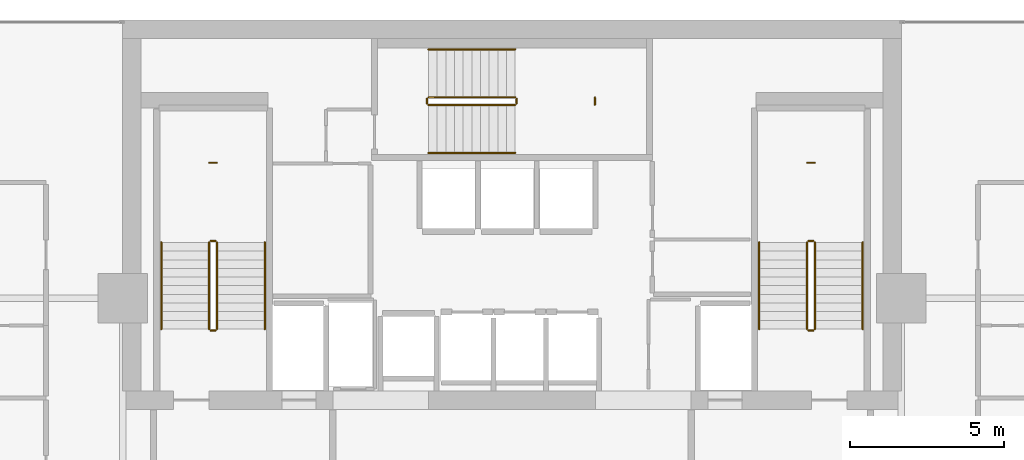
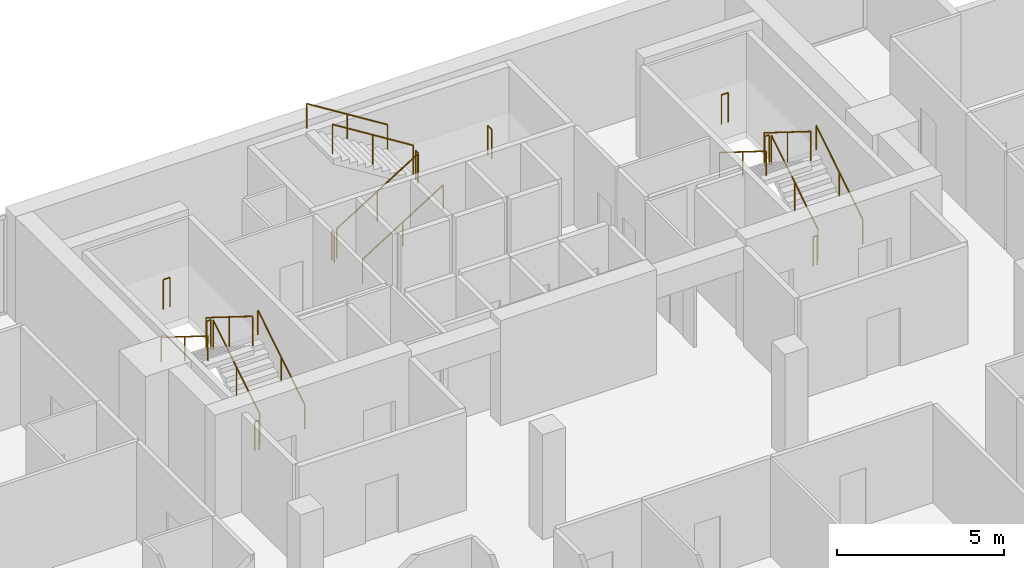
# One storey, part 25 of 25: 21 railings.
"""IFC4 building model written with IfcOpenShell, lengths in metres."""

from ifc_helpers import new_model, si_unit, direction, frame, origin, origin_2d, place, context, subcontext, project, spatial, circle, extrude, material, type_object, element, save


model = new_model("IFC4")

# Units and contexts
model_context = context("Model", 3, precision=1e-05, world=origin(), true_north=direction((0.0, 1.0)))
body_context = subcontext(model_context, "Body", "Model", "MODEL_VIEW")
ifc_project = project(units=[si_unit("LENGTHUNIT", "METRE"), si_unit("AREAUNIT", "SQUARE_METRE"), si_unit("VOLUMEUNIT", "CUBIC_METRE"), si_unit("PLANEANGLEUNIT", "RADIAN"), si_unit("MASSUNIT", "GRAM", prefix="KILO")], contexts=[model_context])

# Site, building, storey
site_placement = place(None, origin())
site = spatial("IfcSite", under=ifc_project, at=site_placement, CompositionType="ELEMENT")
building_placement = place(site_placement, origin())
building = spatial("IfcBuilding", under=site, at=building_placement, Name="Maruvema Waterfront Hotel and Observation Tower", CompositionType="ELEMENT")
storey_placement = place(building_placement, frame((0.0, 0.0, 250.949951171875)))
storey = spatial("IfcBuildingStorey", under=building, at=storey_placement, Name="L61", CompositionType="ELEMENT", Elevation=250.949951171875)

# Railings
ifc_material_1 = material(Name="Brushed stainless steel Grade 316", Category="steel")
railing_type_1 = type_object("IfcRailingType", Name="Ramp Continuous Wall Handrail 920 mm", PredefinedType="HANDRAIL", material=ifc_material_1)
railing_1_placement = place(storey_placement, frame((29.800048828125, 44.0, 0.175048828125)))
element("IfcRailing", 1, at=railing_1_placement, inside=storey, type_object=railing_type_1, Name="L61 ST-01 stair handrail 1", PredefinedType="HANDRAIL", context=body_context, shape_type="SweptSolid", body=[
    extrude(circle(Radius=0.02392578125, at=origin_2d()), frame((0.0, 0.0, 0.89599609375), z_axis=(0.0, 0.848002457836, 0.529992293815), x_axis=(-1.0, 0.0, 0.0)), (0.0, 0.0, 1.0), 3.302001953125),
    extrude(circle(Radius=0.02099609375, at=origin_2d()), origin(), (0.0, 0.0, 1.0), 0.871826171875),
    extrude(circle(Radius=0.02099609375, at=origin_2d()), frame((0.0, 1.39990234375, 0.875)), (0.0, 0.0, 1.0), 0.871826171875),
    extrude(circle(Radius=0.02099609375, at=origin_2d()), frame((0.0, 2.800048828125, 1.75)), (0.0, 0.0, 1.0), 0.871826171875),
])
railing_2_placement = place(storey_placement, frame((26.449951171875, 46.800048828125, 2.10009765625)))
element("IfcRailing", 2, at=railing_2_placement, inside=storey, type_object=railing_type_1, Name="L61 ST-01 stair handrail 2", PredefinedType="HANDRAIL", context=body_context, shape_type="SweptSolid", body=[
    extrude(circle(Radius=0.02392578125, at=origin_2d()), frame((0.0, 0.0, 0.89599609375), z_axis=(0.0, -0.848002457836, 0.529992293815), x_axis=(1.0, 0.0, 0.0)), (0.0, 0.0, 1.0), 3.302001953125),
    extrude(circle(Radius=0.02099609375, at=origin_2d()), origin(), (0.0, 0.0, 1.0), 0.871826171875),
    extrude(circle(Radius=0.02099609375, at=origin_2d()), frame((0.0, -1.39990234375, 0.875)), (0.0, 0.0, 1.0), 0.871826171875),
    extrude(circle(Radius=0.02099609375, at=origin_2d()), frame((0.0, -2.800048828125, 1.75)), (0.0, 0.0, 1.0), 0.871826171875),
])
railing_3_placement = place(storey_placement, frame((35.10009765625, 49.699951171875, 0.175048828125)))
element("IfcRailing", 3, at=railing_3_placement, inside=storey, type_object=railing_type_1, Name="L61 ST-02 stair handrail 1", PredefinedType="HANDRAIL", context=body_context, shape_type="SweptSolid", body=[
    extrude(circle(Radius=0.02392578125, at=origin_2d()), frame((0.0, 0.0, 0.89599609375), z_axis=(0.847981687118, 0.0, 0.530025526095), x_axis=(0.0, 1.0, 0.0)), (0.0, 0.0, 1.0), 3.3017578125),
    extrude(circle(Radius=0.02099609375, at=origin_2d()), origin(), (0.0, 0.0, 1.0), 0.871826171875),
    extrude(circle(Radius=0.02099609375, at=origin_2d()), frame((1.39990234375, 0.0, 0.875)), (0.0, 0.0, 1.0), 0.871826171875),
    extrude(circle(Radius=0.02099609375, at=origin_2d()), frame((2.7998046875, 0.0, 1.75)), (0.0, 0.0, 1.0), 0.871826171875),
])
railing_4_placement = place(storey_placement, frame((37.89990234375, 53.050048828125, 2.10009765625)))
element("IfcRailing", 4, at=railing_4_placement, inside=storey, type_object=railing_type_1, Name="L61 ST-02 stair handrail 2", PredefinedType="HANDRAIL", context=body_context, shape_type="SweptSolid", body=[
    extrude(circle(Radius=0.02392578125, at=origin_2d()), frame((0.0, 0.0, 0.89599609375), z_axis=(-0.847981687118, 0.0, 0.530025526095), x_axis=(0.0, -1.0, 0.0)), (0.0, 0.0, 1.0), 3.3017578125),
    extrude(circle(Radius=0.02099609375, at=origin_2d()), origin(), (0.0, 0.0, 1.0), 0.871826171875),
    extrude(circle(Radius=0.02099609375, at=origin_2d()), frame((-1.39990234375, 0.0, 0.875)), (0.0, 0.0, 1.0), 0.871826171875),
    extrude(circle(Radius=0.02099609375, at=origin_2d()), frame((-2.7998046875, 0.0, 1.75)), (0.0, 0.0, 1.0), 0.871826171875),
])
railing_5_placement = place(storey_placement, frame((49.14990234375, 44.0, 0.175048828125)))
element("IfcRailing", 5, at=railing_5_placement, inside=storey, type_object=railing_type_1, Name="L61 ST-03 stair handrail 1", PredefinedType="HANDRAIL", context=body_context, shape_type="SweptSolid", body=[
    extrude(circle(Radius=0.02392578125, at=origin_2d()), frame((0.0, 0.0, 0.89599609375), z_axis=(0.0, 0.848002457836, 0.529992293815), x_axis=(-1.0, 0.0, 0.0)), (0.0, 0.0, 1.0), 3.302001953125),
    extrude(circle(Radius=0.02099609375, at=origin_2d()), origin(), (0.0, 0.0, 1.0), 0.871826171875),
    extrude(circle(Radius=0.02099609375, at=origin_2d()), frame((0.0, 1.39990234375, 0.875)), (0.0, 0.0, 1.0), 0.871826171875),
    extrude(circle(Radius=0.02099609375, at=origin_2d()), frame((0.0, 2.800048828125, 1.75)), (0.0, 0.0, 1.0), 0.871826171875),
])
railing_6_placement = place(storey_placement, frame((45.800048828125, 46.800048828125, 2.10009765625)))
element("IfcRailing", 6, at=railing_6_placement, inside=storey, type_object=railing_type_1, Name="L61 ST-03 stair handrail 2", PredefinedType="HANDRAIL", context=body_context, shape_type="SweptSolid", body=[
    extrude(circle(Radius=0.02392578125, at=origin_2d()), frame((0.0, 0.0, 0.89599609375), z_axis=(0.0, -0.848002457836, 0.529992293815), x_axis=(1.0, 0.0, 0.0)), (0.0, 0.0, 1.0), 3.302001953125),
    extrude(circle(Radius=0.02099609375, at=origin_2d()), origin(), (0.0, 0.0, 1.0), 0.871826171875),
    extrude(circle(Radius=0.02099609375, at=origin_2d()), frame((0.0, -1.39990234375, 0.875)), (0.0, 0.0, 1.0), 0.871826171875),
    extrude(circle(Radius=0.02099609375, at=origin_2d()), frame((0.0, -2.800048828125, 1.75)), (0.0, 0.0, 1.0), 0.871826171875),
])
ifc_material_2 = material(Name="Brushed stainless steel Grade 316", Category="steel")
railing_type_2 = type_object("IfcRailingType", Name="Ramp and Terrace Guard Balustrade 1100 mm", PredefinedType="BALUSTRADE", material=ifc_material_2)
railing_7_placement = place(storey_placement, frame((28.25, 44.0, 0.175048828125)))
element("IfcRailing", 7, at=railing_7_placement, inside=storey, type_object=railing_type_2, Name="L61 ST-01 stair guard 1", PredefinedType="BALUSTRADE", context=body_context, shape_type="SweptSolid", body=[
    extrude(circle(Radius=0.02392578125, at=origin_2d()), frame((0.0, 0.0, 1.076171875), z_axis=(0.0, 0.848002457836, 0.529992293815), x_axis=(-1.0, 0.0, 0.0)), (0.0, 0.0, 1.0), 3.302001953125),
    extrude(circle(Radius=0.02099609375, at=origin_2d()), origin(), (0.0, 0.0, 1.0), 1.052001953125),
    extrude(circle(Radius=0.02099609375, at=origin_2d()), frame((0.0, 1.39990234375, 0.875)), (0.0, 0.0, 1.0), 1.052001953125),
    extrude(circle(Radius=0.02099609375, at=origin_2d()), frame((0.0, 2.800048828125, 1.75)), (0.0, 0.0, 1.0), 1.052001953125),
])
railing_8_placement = place(storey_placement, frame((28.199951171875, 46.85009765625, 1.925048828125)))
element("IfcRailing", 8, at=railing_8_placement, inside=storey, type_object=railing_type_2, Name="L61 ST-01 stair guard 2", PredefinedType="BALUSTRADE", context=body_context, shape_type="SweptSolid", body=[
    extrude(circle(Radius=0.02392578125, at=origin_2d()), frame((0.0, 0.0, 1.076171875), z_axis=(-1.0, 0.0, 0.0), x_axis=(0.0, -1.0, 0.0)), (0.0, 0.0, 1.0), 0.14990234375),
    extrude(circle(Radius=0.02099609375, at=origin_2d()), origin(), (0.0, 0.0, 1.0), 1.052001953125),
    extrude(circle(Radius=0.02099609375, at=origin_2d()), frame((-0.14990234375, 0.0, 0.0)), (0.0, 0.0, 1.0), 1.052001953125),
])
railing_9_placement = place(storey_placement, frame((28.0, 46.800048828125, 2.10009765625)))
element("IfcRailing", 9, at=railing_9_placement, inside=storey, type_object=railing_type_2, Name="L61 ST-01 stair guard 3", PredefinedType="BALUSTRADE", context=body_context, shape_type="SweptSolid", body=[
    extrude(circle(Radius=0.02392578125, at=origin_2d()), frame((0.0, 0.0, 1.076171875), z_axis=(0.0, -0.848002457836, 0.529992293815), x_axis=(1.0, 0.0, 0.0)), (0.0, 0.0, 1.0), 3.302001953125),
    extrude(circle(Radius=0.02099609375, at=origin_2d()), origin(), (0.0, 0.0, 1.0), 1.052001953125),
    extrude(circle(Radius=0.02099609375, at=origin_2d()), frame((0.0, -1.39990234375, 0.875)), (0.0, 0.0, 1.0), 1.052001953125),
    extrude(circle(Radius=0.02099609375, at=origin_2d()), frame((0.0, -2.800048828125, 1.75)), (0.0, 0.0, 1.0), 1.052001953125),
])
railing_10_placement = place(storey_placement, frame((28.199951171875, 43.949951171875, 0.0)))
element("IfcRailing", 10, at=railing_10_placement, inside=storey, type_object=railing_type_2, Name="L61 ST-01 stair guard 4", PredefinedType="BALUSTRADE", context=body_context, shape_type="SweptSolid", body=[
    extrude(circle(Radius=0.02392578125, at=origin_2d()), frame((0.0, 0.0, 1.076171875), z_axis=(-1.0, 0.0, 0.0), x_axis=(0.0, -1.0, 0.0)), (0.0, 0.0, 1.0), 0.14990234375),
    extrude(circle(Radius=0.02099609375, at=origin_2d()), origin(), (0.0, 0.0, 1.0), 1.052001953125),
    extrude(circle(Radius=0.02099609375, at=origin_2d()), frame((-0.14990234375, 0.0, 0.0)), (0.0, 0.0, 1.0), 1.052001953125),
])
railing_11_placement = place(storey_placement, frame((28.239990234375, 49.3798828125, 1.925048828125)))
element("IfcRailing", 11, at=railing_11_placement, inside=storey, type_object=railing_type_2, Name="L61 ST-01 Half-Landing Slot Guard", PredefinedType="BALUSTRADE", context=body_context, shape_type="SweptSolid", body=[
    extrude(circle(Radius=0.02392578125, at=origin_2d()), frame((0.0, 0.0, 1.076171875), z_axis=(-1.0, 0.0, 0.0), x_axis=(0.0, -1.0, 0.0)), (0.0, 0.0, 1.0), 0.22998046875),
    extrude(circle(Radius=0.02099609375, at=origin_2d()), origin(), (0.0, 0.0, 1.0), 1.052001953125),
    extrude(circle(Radius=0.02099609375, at=origin_2d()), frame((-0.22998046875, 0.0, 0.0)), (0.0, 0.0, 1.0), 1.052001953125),
])
railing_12_placement = place(storey_placement, frame((35.10009765625, 51.25, 0.175048828125)))
element("IfcRailing", 12, at=railing_12_placement, inside=storey, type_object=railing_type_2, Name="L61 ST-02 stair guard 1", PredefinedType="BALUSTRADE", context=body_context, shape_type="SweptSolid", body=[
    extrude(circle(Radius=0.02392578125, at=origin_2d()), frame((0.0, 0.0, 1.076171875), z_axis=(0.847981687118, 0.0, 0.530025526095), x_axis=(0.0, 1.0, 0.0)), (0.0, 0.0, 1.0), 3.3017578125),
    extrude(circle(Radius=0.02099609375, at=origin_2d()), origin(), (0.0, 0.0, 1.0), 1.052001953125),
    extrude(circle(Radius=0.02099609375, at=origin_2d()), frame((1.39990234375, 0.0, 0.875)), (0.0, 0.0, 1.0), 1.052001953125),
    extrude(circle(Radius=0.02099609375, at=origin_2d()), frame((2.7998046875, 0.0, 1.75)), (0.0, 0.0, 1.0), 1.052001953125),
])
railing_13_placement = place(storey_placement, frame((37.949951171875, 51.300048828125, 1.925048828125)))
element("IfcRailing", 13, at=railing_13_placement, inside=storey, type_object=railing_type_2, Name="L61 ST-02 stair guard 2", PredefinedType="BALUSTRADE", context=body_context, shape_type="SweptSolid", body=[
    extrude(circle(Radius=0.02392578125, at=origin_2d()), frame((0.0, 0.0, 1.076171875), z_axis=(0.0, 1.0, 0.0), x_axis=(-1.0, 0.0, 0.0)), (0.0, 0.0, 1.0), 0.14990234375),
    extrude(circle(Radius=0.02099609375, at=origin_2d()), origin(), (0.0, 0.0, 1.0), 1.052001953125),
    extrude(circle(Radius=0.02099609375, at=origin_2d()), frame((0.0, 0.14990234375, 0.0)), (0.0, 0.0, 1.0), 1.052001953125),
])
railing_14_placement = place(storey_placement, frame((37.89990234375, 51.5, 2.10009765625)))
element("IfcRailing", 14, at=railing_14_placement, inside=storey, type_object=railing_type_2, Name="L61 ST-02 stair guard 3", PredefinedType="BALUSTRADE", context=body_context, shape_type="SweptSolid", body=[
    extrude(circle(Radius=0.02392578125, at=origin_2d()), frame((0.0, 0.0, 1.076171875), z_axis=(-0.847981687118, 0.0, 0.530025526095), x_axis=(0.0, -1.0, 0.0)), (0.0, 0.0, 1.0), 3.3017578125),
    extrude(circle(Radius=0.02099609375, at=origin_2d()), origin(), (0.0, 0.0, 1.0), 1.052001953125),
    extrude(circle(Radius=0.02099609375, at=origin_2d()), frame((-1.39990234375, 0.0, 0.875)), (0.0, 0.0, 1.0), 1.052001953125),
    extrude(circle(Radius=0.02099609375, at=origin_2d()), frame((-2.7998046875, 0.0, 1.75)), (0.0, 0.0, 1.0), 1.052001953125),
])
railing_15_placement = place(storey_placement, frame((35.050048828125, 51.300048828125, 0.0)))
element("IfcRailing", 15, at=railing_15_placement, inside=storey, type_object=railing_type_2, Name="L61 ST-02 stair guard 4", PredefinedType="BALUSTRADE", context=body_context, shape_type="SweptSolid", body=[
    extrude(circle(Radius=0.02392578125, at=origin_2d()), frame((0.0, 0.0, 1.076171875), z_axis=(0.0, 1.0, 0.0), x_axis=(-1.0, 0.0, 0.0)), (0.0, 0.0, 1.0), 0.14990234375),
    extrude(circle(Radius=0.02099609375, at=origin_2d()), origin(), (0.0, 0.0, 1.0), 1.052001953125),
    extrude(circle(Radius=0.02099609375, at=origin_2d()), frame((0.0, 0.14990234375, 0.0)), (0.0, 0.0, 1.0), 1.052001953125),
])
railing_16_placement = place(storey_placement, frame((40.47998046875, 51.260009765625, 1.925048828125)))
element("IfcRailing", 16, at=railing_16_placement, inside=storey, type_object=railing_type_2, Name="L61 ST-02 Half-Landing Slot Guard", PredefinedType="BALUSTRADE", context=body_context, shape_type="SweptSolid", body=[
    extrude(circle(Radius=0.02392578125, at=origin_2d()), frame((0.0, 0.0, 1.076171875), z_axis=(0.0, 1.0, 0.0), x_axis=(-1.0, 0.0, 0.0)), (0.0, 0.0, 1.0), 0.22998046875),
    extrude(circle(Radius=0.02099609375, at=origin_2d()), origin(), (0.0, 0.0, 1.0), 1.052001953125),
    extrude(circle(Radius=0.02099609375, at=origin_2d()), frame((0.0, 0.22998046875, 0.0)), (0.0, 0.0, 1.0), 1.052001953125),
])
railing_17_placement = place(storey_placement, frame((47.60009765625, 44.0, 0.175048828125)))
element("IfcRailing", 17, at=railing_17_placement, inside=storey, type_object=railing_type_2, Name="L61 ST-03 stair guard 1", PredefinedType="BALUSTRADE", context=body_context, shape_type="SweptSolid", body=[
    extrude(circle(Radius=0.02392578125, at=origin_2d()), frame((0.0, 0.0, 1.076171875), z_axis=(0.0, 0.848002457836, 0.529992293815), x_axis=(-1.0, 0.0, 0.0)), (0.0, 0.0, 1.0), 3.302001953125),
    extrude(circle(Radius=0.02099609375, at=origin_2d()), origin(), (0.0, 0.0, 1.0), 1.052001953125),
    extrude(circle(Radius=0.02099609375, at=origin_2d()), frame((0.0, 1.39990234375, 0.875)), (0.0, 0.0, 1.0), 1.052001953125),
    extrude(circle(Radius=0.02099609375, at=origin_2d()), frame((0.0, 2.800048828125, 1.75)), (0.0, 0.0, 1.0), 1.052001953125),
])
railing_18_placement = place(storey_placement, frame((47.550048828125, 46.85009765625, 1.925048828125)))
element("IfcRailing", 18, at=railing_18_placement, inside=storey, type_object=railing_type_2, Name="L61 ST-03 stair guard 2", PredefinedType="BALUSTRADE", context=body_context, shape_type="SweptSolid", body=[
    extrude(circle(Radius=0.02392578125, at=origin_2d()), frame((0.0, 0.0, 1.076171875), z_axis=(-1.0, 0.0, 0.0), x_axis=(0.0, -1.0, 0.0)), (0.0, 0.0, 1.0), 0.150146484375),
    extrude(circle(Radius=0.02099609375, at=origin_2d()), origin(), (0.0, 0.0, 1.0), 1.052001953125),
    extrude(circle(Radius=0.02099609375, at=origin_2d()), frame((-0.150146484375, 0.0, 0.0)), (0.0, 0.0, 1.0), 1.052001953125),
])
railing_19_placement = place(storey_placement, frame((47.35009765625, 46.800048828125, 2.10009765625)))
element("IfcRailing", 19, at=railing_19_placement, inside=storey, type_object=railing_type_2, Name="L61 ST-03 stair guard 3", PredefinedType="BALUSTRADE", context=body_context, shape_type="SweptSolid", body=[
    extrude(circle(Radius=0.02392578125, at=origin_2d()), frame((0.0, 0.0, 1.076171875), z_axis=(0.0, -0.848002457836, 0.529992293815), x_axis=(1.0, 0.0, 0.0)), (0.0, 0.0, 1.0), 3.302001953125),
    extrude(circle(Radius=0.02099609375, at=origin_2d()), origin(), (0.0, 0.0, 1.0), 1.052001953125),
    extrude(circle(Radius=0.02099609375, at=origin_2d()), frame((0.0, -1.39990234375, 0.875)), (0.0, 0.0, 1.0), 1.052001953125),
    extrude(circle(Radius=0.02099609375, at=origin_2d()), frame((0.0, -2.800048828125, 1.75)), (0.0, 0.0, 1.0), 1.052001953125),
])
railing_20_placement = place(storey_placement, frame((47.550048828125, 43.949951171875, 0.0)))
element("IfcRailing", 20, at=railing_20_placement, inside=storey, type_object=railing_type_2, Name="L61 ST-03 stair guard 4", PredefinedType="BALUSTRADE", context=body_context, shape_type="SweptSolid", body=[
    extrude(circle(Radius=0.02392578125, at=origin_2d()), frame((0.0, 0.0, 1.076171875), z_axis=(-1.0, 0.0, 0.0), x_axis=(0.0, -1.0, 0.0)), (0.0, 0.0, 1.0), 0.150146484375),
    extrude(circle(Radius=0.02099609375, at=origin_2d()), origin(), (0.0, 0.0, 1.0), 1.052001953125),
    extrude(circle(Radius=0.02099609375, at=origin_2d()), frame((-0.150146484375, 0.0, 0.0)), (0.0, 0.0, 1.0), 1.052001953125),
])
railing_21_placement = place(storey_placement, frame((47.590087890625, 49.3798828125, 1.925048828125)))
element("IfcRailing", 21, at=railing_21_placement, inside=storey, type_object=railing_type_2, Name="L61 ST-03 Half-Landing Slot Guard", PredefinedType="BALUSTRADE", context=body_context, shape_type="SweptSolid", body=[
    extrude(circle(Radius=0.02392578125, at=origin_2d()), frame((0.0, 0.0, 1.076171875), z_axis=(-1.0, 0.0, 0.0), x_axis=(0.0, -1.0, 0.0)), (0.0, 0.0, 1.0), 0.22998046875),
    extrude(circle(Radius=0.02099609375, at=origin_2d()), origin(), (0.0, 0.0, 1.0), 1.052001953125),
    extrude(circle(Radius=0.02099609375, at=origin_2d()), frame((-0.22998046875, 0.0, 0.0)), (0.0, 0.0, 1.0), 1.052001953125),
])

save(model, "model.ifc")
